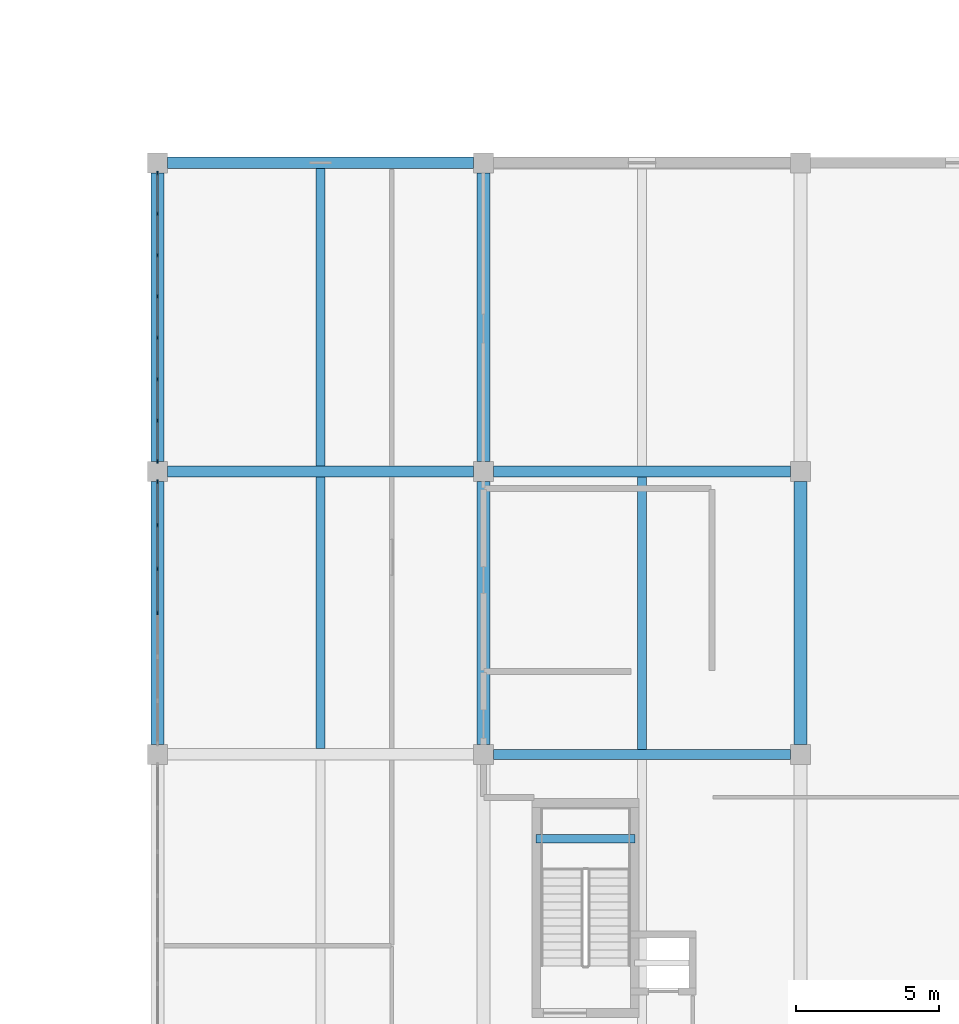
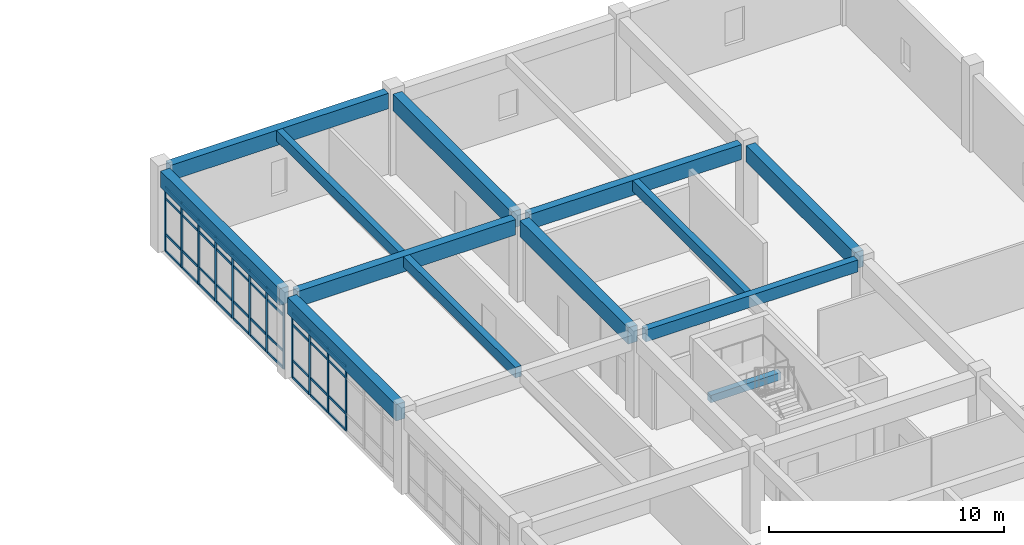
# One storey, part 26 of 57: 52 members, 13 beams, 2 elements without a shape of their own.
"""IFC4 building model written with IfcOpenShell, lengths in metres."""

import ifcopenshell
import ifcopenshell.guid

model = None  # the IFC model being written
_history = None  # IfcOwnerHistory: only IFC2X3 demands one
_inside = {}  # id of a spatial element -> (the spatial element, [elements in it])
_under = {}  # id of a project, library or spatial element -> (it, [spatial elements below it])
_declared = {}  # id of a project -> (the project, [libraries it declares])
_typed = {}  # id of a type object -> (the type object, [elements of that type])
_made_of = {}  # id of a material, layer set ... -> (it, [elements and type objects made of it])


def new_model(schema):
    """Start an empty IFC model of exactly this schema.

    Asked for "IFC4X3", IfcOpenShell would pick the latest addendum, in which some entities
    have other attributes; the version numbers below select the first issue.
    IFC2X3 requires an IfcOwnerHistory on every rooted entity: one is made here for all.
    """
    global model, _history
    if schema == "IFC4X3":
        model = ifcopenshell.file(schema_version=(4, 3, 0, 0))
    else:
        model = ifcopenshell.file(schema=schema)
    _inside.clear()
    _under.clear()
    _declared.clear()
    _typed.clear()
    _made_of.clear()
    _history = None
    if model.schema == "IFC2X3":
        org = make("IfcOrganization", Name="unknown")
        user = make(
            "IfcPersonAndOrganization",
            ThePerson=make("IfcPerson", FamilyName="unknown"),
            TheOrganization=org,
        )
        app = make(
            "IfcApplication",
            ApplicationDeveloper=org,
            Version="unknown",
            ApplicationFullName="unknown",
            ApplicationIdentifier="unknown",
        )
        _history = make(
            "IfcOwnerHistory",
            OwningUser=user,
            OwningApplication=app,
            ChangeAction="ADDED",
            CreationDate=0,
        )
    return model


def make(cls, **values):
    """One entity of the class cls with the attributes given. An attribute that is None is left unset."""
    return model.create_entity(
        cls, **{name: value for name, value in values.items() if value is not None}
    )


def rooted(cls, **values):
    """An entity with a GlobalId (a new one), such as an element, a storey or a relation."""
    return make(cls, GlobalId=ifcopenshell.guid.new(), OwnerHistory=_history, **values)


def si_unit(unit_type, name, prefix=None):
    """IfcSIUnit, for example si_unit("LENGTHUNIT", "METRE", prefix="MILLI")."""
    return make("IfcSIUnit", UnitType=unit_type, Prefix=prefix, Name=name)


def assignment(units):
    """IfcUnitAssignment: the units of a project."""
    return None if units is None else make("IfcUnitAssignment", Units=units)


def point(xyz):
    """IfcCartesianPoint."""
    return None if xyz is None else make("IfcCartesianPoint", Coordinates=xyz)


def direction(xyz):
    """IfcDirection."""
    return None if xyz is None else make("IfcDirection", DirectionRatios=xyz)


def frame(location, z_axis=None, x_axis=None):
    """IfcAxis2Placement3D, a coordinate frame: its origin and axes. An axis left out is left unset."""
    return make(
        "IfcAxis2Placement3D",
        Location=point(location),
        Axis=direction(z_axis),
        RefDirection=direction(x_axis),
    )


def frame_2d(location, x_axis=None):
    """IfcAxis2Placement2D, a coordinate frame in the plane: its origin and x axis."""
    return make(
        "IfcAxis2Placement2D", Location=point(location), RefDirection=direction(x_axis)
    )


def origin():
    """The frame at (0, 0, 0) with its axes left unset."""
    return frame((0.0, 0.0, 0.0))


def origin_2d():
    """The frame at (0, 0) in the plane with its x axis left unset."""
    return frame_2d((0.0, 0.0))


def place(relative_to, where):
    """IfcLocalPlacement: puts the frame where relative to a parent placement (None: the world)."""
    return make(
        "IfcLocalPlacement", PlacementRelTo=relative_to, RelativePlacement=where
    )


def context(
    kind, dimensions, precision=None, world=None, true_north=None, identifier=None
):
    """IfcGeometricRepresentationContext, for example the 3D "Model" context."""
    return make(
        "IfcGeometricRepresentationContext",
        ContextIdentifier=identifier,
        ContextType=kind,
        CoordinateSpaceDimension=dimensions,
        Precision=precision,
        WorldCoordinateSystem=world,
        TrueNorth=true_north,
    )


def subcontext(parent, identifier, kind, view, scale=None):
    """IfcGeometricRepresentationSubContext, for example "Body" below "Model"."""
    return make(
        "IfcGeometricRepresentationSubContext",
        ContextIdentifier=identifier,
        ContextType=kind,
        ParentContext=parent,
        TargetScale=scale,
        TargetView=view,
    )


def project(units=None, contexts=None):
    """IfcProject with its units and contexts."""
    return rooted(
        "IfcProject",
        Name="project",
        RepresentationContexts=contexts,
        UnitsInContext=assignment(units),
    )


def spatial(cls, under=None, at=None, **own):
    """A site, building, storey or space (cls), placed at a placement, below another one or the project."""
    s = rooted(cls, ObjectPlacement=at, **own)
    if under is not None:
        _under.setdefault(under.id(), (under, []))[1].append(s)
    return s


def profile(cls, at=None, kind="AREA", **sizes):
    """A parametric profile (cls). Its sizes go by their IFC names, for example OverallWidth=200.0."""
    return make(cls, ProfileType=kind, Position=at, **sizes)


def rectangle(**sizes):
    """IfcRectangleProfileDef."""
    return profile("IfcRectangleProfileDef", **sizes)


def extrude(swept, where, along, depth):
    """IfcExtrudedAreaSolid: the profile swept, set in the frame where, extruded along a direction by depth."""
    return make(
        "IfcExtrudedAreaSolid",
        SweptArea=swept,
        Position=where,
        ExtrudedDirection=direction(along),
        Depth=depth,
    )


def shape(context_of_items, identifier, shape_type, items):
    """IfcShapeRepresentation: the items that make up one representation, for example the "Body"."""
    return make(
        "IfcShapeRepresentation",
        ContextOfItems=context_of_items,
        RepresentationIdentifier=identifier,
        RepresentationType=shape_type,
        Items=items,
    )


def material(Name=None, Category=None):
    """IfcMaterial."""
    return make("IfcMaterial", Name=Name, Category=Category)


def layer(
    of_material, thickness, ventilated=None, Name=None, Category=None, Priority=None
):
    """IfcMaterialLayer: one layer of a wall or slab, of a material (None: an air gap)."""
    return make(
        "IfcMaterialLayer",
        Material=of_material,
        LayerThickness=thickness,
        IsVentilated=ventilated,
        Name=Name,
        Category=Category,
        Priority=Priority,
    )


def layer_set(layers, Name=None):
    """IfcMaterialLayerSet."""
    return make("IfcMaterialLayerSet", MaterialLayers=layers, LayerSetName=Name)


def material_profile(
    of_material, cross_section, Name=None, Category=None, Priority=None
):
    """IfcMaterialProfile: a cross section and its material."""
    return make(
        "IfcMaterialProfile",
        Name=Name,
        Material=of_material,
        Profile=cross_section,
        Priority=Priority,
        Category=Category,
    )


def profile_set(profiles, Name=None, composite=None):
    """IfcMaterialProfileSet."""
    return make(
        "IfcMaterialProfileSet",
        Name=Name,
        MaterialProfiles=profiles,
        CompositeProfile=composite,
    )


def made_of(thing, what):
    """Note that an element or type object is made of a material, layer set ...; save() writes the relation."""
    if what is not None:
        _made_of.setdefault(what.id(), (what, []))[1].append(thing)
    return thing


def type_object(cls, material=None, **own):
    """A type object (cls), such as IfcWallType, which elements share."""
    return made_of(rooted(cls, **own), material)


def element(
    cls,
    number,
    at=None,
    inside=None,
    cuts=None,
    type_object=None,
    material=None,
    context=None,
    identifier="Body",
    shape_type=None,
    held_by="IfcProductDefinitionShape",
    body=None,
    shapes=None,
    **own,
):
    """One element of the class cls, such as IfcWall. Its Tag is "e" and its number.

    at: its placement. inside: the storey or other place that contains it. cuts: it is an
    opening in that element (IfcRelVoidsElement). A single representation is given by context,
    identifier, shape_type and body (its items); several are given by shapes. held_by: the class
    of the entity that holds the representations. save() writes the other relations.
    """
    e = rooted(cls, Tag="e%d" % number, ObjectPlacement=at, **own)
    if body is not None:
        shapes = [shape(context, identifier, shape_type, body)]
    if shapes is not None:
        e.Representation = make(held_by, Representations=shapes)
    if inside is not None:
        _inside.setdefault(inside.id(), (inside, []))[1].append(e)
    if cuts is not None:
        rooted(
            "IfcRelVoidsElement", RelatingBuildingElement=cuts, RelatedOpeningElement=e
        )
    if type_object is not None:
        _typed.setdefault(type_object.id(), (type_object, []))[1].append(e)
    return made_of(e, material)


def aggregate(whole, parts):
    """IfcRelAggregates: a whole, such as a stair, and the parts it consists of."""
    return rooted("IfcRelAggregates", RelatingObject=whole, RelatedObjects=parts)


def save(model, path):
    """Write the relations noted so far, then the file.

    IfcRelAggregates (storeys below a building ...), IfcRelContainedInSpatialStructure (elements
    in a storey), IfcRelDefinesByType, IfcRelAssociatesMaterial and IfcRelDeclares: one each for
    every whole, place, type object, material and project.
    """
    for whole, parts in _under.values():
        aggregate(whole, parts)
    for where, things in _inside.values():
        rooted(
            "IfcRelContainedInSpatialStructure",
            RelatedElements=things,
            RelatingStructure=where,
        )
    for kind, things in _typed.values():
        rooted("IfcRelDefinesByType", RelatedObjects=things, RelatingType=kind)
    for what, things in _made_of.values():
        rooted("IfcRelAssociatesMaterial", RelatedObjects=things, RelatingMaterial=what)
    for by, libraries in _declared.values():
        rooted("IfcRelDeclares", RelatingContext=by, RelatedDefinitions=libraries)
    model.write(path)


model = new_model("IFC4")

# Units and contexts
model_context = context("Model", 3, precision=1e-05, world=origin(), true_north=direction((0.0, 1.0)))
body_context = subcontext(model_context, "Body", "Model", "MODEL_VIEW")
ifc_project = project(units=[si_unit("LENGTHUNIT", "METRE"), si_unit("AREAUNIT", "SQUARE_METRE"), si_unit("VOLUMEUNIT", "CUBIC_METRE"), si_unit("PLANEANGLEUNIT", "RADIAN"), si_unit("MASSUNIT", "GRAM", prefix="KILO")], contexts=[model_context])

# Site, building, storey
site_placement = place(None, origin())
site = spatial("IfcSite", under=ifc_project, at=site_placement, CompositionType="ELEMENT")
building_placement = place(site_placement, origin())
building = spatial("IfcBuilding", under=site, at=building_placement, Name="Miralva Faculty of Natural Sciences", CompositionType="ELEMENT")
storey_placement = place(building_placement, frame((0.0, 0.0, 15.0)))
storey = spatial("IfcBuildingStorey", under=building, at=storey_placement, Name="L03", CompositionType="ELEMENT", Elevation=15.0)

# Beams
ifc_material_1 = material(Name="Concrete C40/50", Category="concrete")
ifc_material_profile_1 = material_profile(ifc_material_1, rectangle(XDim=0.449951171875, YDim=0.85009765625, at=origin_2d()), Name="RC 450x850")
ifc_profile_set_1 = profile_set([ifc_material_profile_1], Name="Concrete C40/50")
beam_type_1 = type_object("IfcBeamType", Name="BM-B01", PredefinedType="BEAM", material=ifc_profile_set_1)
beam_1_placement = place(storey_placement, frame((133.800048828125, 55.85009765625, 3.784912109375), z_axis=(0.0, 1.0, 0.0), x_axis=(-1.0, 0.0, 0.0)))
element("IfcBeam", 1, at=beam_1_placement, inside=storey, type_object=beam_type_1, Name="Girder NS L03-117", PredefinedType="BEAM", context=body_context, shape_type="SweptSolid", body=[
    extrude(rectangle(XDim=0.449951171875, YDim=0.85009765625, at=origin_2d()), origin(), (0.0, 0.0, 1.0), 9.199951171875),
])
beam_2_placement = place(storey_placement, frame((133.800048828125, 65.75, 3.784912109375), z_axis=(0.0, 1.0, 0.0), x_axis=(-1.0, 0.0, 0.0)))
element("IfcBeam", 2, at=beam_2_placement, inside=storey, type_object=beam_type_1, Name="Girder NS L03-118", PredefinedType="BEAM", context=body_context, shape_type="SweptSolid", body=[
    extrude(rectangle(XDim=0.449951171875, YDim=0.85009765625, at=origin_2d()), origin(), (0.0, 0.0, 1.0), 10.10009765625),
])
beam_3_placement = place(storey_placement, frame((145.199951171875, 55.85009765625, 3.784912109375), z_axis=(0.0, 1.0, 0.0), x_axis=(-1.0, 0.0, 0.0)))
element("IfcBeam", 3, at=beam_3_placement, inside=storey, type_object=beam_type_1, Name="Girder NS L03-124", PredefinedType="BEAM", context=body_context, shape_type="SweptSolid", body=[
    extrude(rectangle(XDim=0.449951171875, YDim=0.85009765625, at=origin_2d()), origin(), (0.0, 0.0, 1.0), 9.199951171875),
])
beam_4_placement = place(storey_placement, frame((145.199951171875, 65.75, 3.784912109375), z_axis=(0.0, 1.0, 0.0), x_axis=(-1.0, 0.0, 0.0)))
element("IfcBeam", 4, at=beam_4_placement, inside=storey, type_object=beam_type_1, Name="Girder NS L03-125", PredefinedType="BEAM", context=body_context, shape_type="SweptSolid", body=[
    extrude(rectangle(XDim=0.449951171875, YDim=0.85009765625, at=origin_2d()), origin(), (0.0, 0.0, 1.0), 10.10009765625),
])
beam_5_placement = place(storey_placement, frame((156.300048828125, 55.85009765625, 3.784912109375), z_axis=(0.0, 1.0, 0.0), x_axis=(-1.0, 0.0, 0.0)))
element("IfcBeam", 5, at=beam_5_placement, inside=storey, type_object=beam_type_1, Name="Girder NS L03-131", PredefinedType="BEAM", context=body_context, shape_type="SweptSolid", body=[
    extrude(rectangle(XDim=0.449951171875, YDim=0.85009765625, at=origin_2d()), origin(), (0.0, 0.0, 1.0), 9.199951171875),
])
ifc_material_profile_2 = material_profile(ifc_material_1, rectangle(XDim=0.39990234375, YDim=0.800048828125, at=origin_2d()), Name="RC 400x800")
ifc_profile_set_2 = profile_set([ifc_material_profile_2], Name="Concrete C40/50")
beam_type_2 = type_object("IfcBeamType", Name="BM-B02", PredefinedType="BEAM", material=ifc_profile_set_2)
for number, where, z_axis, x_axis, name in (
    (6, (134.14990234375, 65.39990234375, 3.81005859375), (1.0, 0.0, 0.0), (0.0, 1.0, 0.0), "Girder EW L03-46"),
    (7, (134.14990234375, 76.199951171875, 3.81005859375), (1.0, 0.0, 0.0), (0.0, 1.0, 0.0), "Girder EW L03-50"),
):
    element("IfcBeam", number, at=place(storey_placement, frame(where, z_axis=z_axis, x_axis=x_axis)), inside=storey, type_object=beam_type_2, Name=name, PredefinedType="BEAM", context=body_context, shape_type="SweptSolid", body=[
        extrude(rectangle(XDim=0.39990234375, YDim=0.800048828125, at=origin_2d()), origin(), (0.0, 0.0, 1.0), 10.7001953125),
    ])
ifc_material_profile_3 = material_profile(ifc_material_1, rectangle(XDim=0.340087890625, YDim=0.6201171875, at=origin_2d()), Name="RC 340x620")
ifc_profile_set_3 = profile_set([ifc_material_profile_3], Name="Concrete C40/50")
beam_type_3 = type_object("IfcBeamType", Name="BM-BG03", PredefinedType="BEAM", material=ifc_profile_set_3)
beam_6_placement = place(storey_placement, frame((145.550048828125, 55.5, 3.89990234375), z_axis=(1.0, 0.0, 0.0), x_axis=(0.0, 1.0, 0.0)))
element("IfcBeam", 8, at=beam_6_placement, inside=storey, type_object=beam_type_3, Name="Girder EW L03-43", PredefinedType="BEAM", context=body_context, shape_type="SweptSolid", body=[
    extrude(rectangle(XDim=0.340087890625, YDim=0.6201171875, at=origin_2d()), origin(), (0.0, 0.0, 1.0), 10.39990234375),
])
ifc_material_profile_4 = material_profile(ifc_material_1, rectangle(XDim=0.3798828125, YDim=0.780029296875, at=origin_2d()), Name="RC 380x780")
ifc_profile_set_4 = profile_set([ifc_material_profile_4], Name="Concrete C40/50")
beam_type_4 = type_object("IfcBeamType", Name="BM-BG07", PredefinedType="BEAM", material=ifc_profile_set_4)
beam_7_placement = place(storey_placement, frame((145.550048828125, 65.39990234375, 3.820068359375), z_axis=(1.0, 0.0, 0.0), x_axis=(0.0, 1.0, 0.0)))
element("IfcBeam", 9, at=beam_7_placement, inside=storey, type_object=beam_type_4, Name="Girder EW L03-47", PredefinedType="BEAM", context=body_context, shape_type="SweptSolid", body=[
    extrude(rectangle(XDim=0.3798828125, YDim=0.780029296875, at=origin_2d()), origin(), (0.0, 0.0, 1.0), 10.39990234375),
])
ifc_material_profile_5 = material_profile(ifc_material_1, rectangle(XDim=0.300048828125, YDim=0.550048828125, at=origin_2d()), Name="RC 300x550")
ifc_profile_set_5 = profile_set([ifc_material_profile_5], Name="Concrete C40/50")
beam_type_5 = type_object("IfcBeamType", Name="BM-J02", PredefinedType="JOIST", material=ifc_profile_set_5)
beam_8_placement = place(storey_placement, frame((139.5, 55.699951171875, 3.93505859375), z_axis=(0.0, 1.0, 0.0), x_axis=(-1.0, 0.0, 0.0)))
element("IfcBeam", 10, at=beam_8_placement, inside=storey, type_object=beam_type_5, Name="Floor joist L03-17", PredefinedType="JOIST", context=body_context, shape_type="SweptSolid", body=[
    extrude(rectangle(XDim=0.300048828125, YDim=0.550048828125, at=origin_2d()), origin(), (0.0, 0.0, 1.0), 9.5),
])
beam_9_placement = place(storey_placement, frame((150.75, 55.669921875, 3.93505859375), z_axis=(0.0, 1.0, 0.0), x_axis=(-1.0, 0.0, 0.0)))
element("IfcBeam", 11, at=beam_9_placement, inside=storey, type_object=beam_type_5, Name="Floor joist L03-18", PredefinedType="JOIST", context=body_context, shape_type="SweptSolid", body=[
    extrude(rectangle(XDim=0.300048828125, YDim=0.550048828125, at=origin_2d()), origin(), (0.0, 0.0, 1.0), 9.5400390625),
])
beam_10_placement = place(storey_placement, frame((139.5, 65.60009765625, 3.93505859375), z_axis=(0.0, 1.0, 0.0), x_axis=(-1.0, 0.0, 0.0)))
element("IfcBeam", 12, at=beam_10_placement, inside=storey, type_object=beam_type_5, Name="Floor joist L03-20", PredefinedType="JOIST", context=body_context, shape_type="SweptSolid", body=[
    extrude(rectangle(XDim=0.300048828125, YDim=0.550048828125, at=origin_2d()), origin(), (0.0, 0.0, 1.0), 10.39990234375),
])
ifc_material_profile_6 = material_profile(ifc_material_1, rectangle(XDim=0.300048828125, YDim=0.3798828125, at=origin_2d()), Name="RC 300x380")
ifc_profile_set_6 = profile_set([ifc_material_profile_6], Name="Concrete C40/50")
beam_type_6 = type_object("IfcBeamType", Name="BM-LND01", PredefinedType="BEAM", material=ifc_profile_set_6)
beam_11_placement = place(storey_placement, frame((147.050048828125, 52.554931640625, 1.8701171875), z_axis=(1.0, 0.0, 0.0), x_axis=(0.0, 1.0, 0.0)))
element("IfcBeam", 13, at=beam_11_placement, inside=storey, type_object=beam_type_6, Name="Stair Core C4 half-landing support beam L03", PredefinedType="BEAM", context=body_context, shape_type="SweptSolid", body=[
    extrude(rectangle(XDim=0.300048828125, YDim=0.3798828125, at=origin_2d()), origin(), (0.0, 0.0, 1.0), 3.449951171875),
])

# Curtain wall, members
ifc_material_2 = material(Name="Laminated solar-control glass", Category="glass")
ifc_layer = layer(ifc_material_2, 0.179931640625, Name="CW-COM-L03")
ifc_layer_set = layer_set([ifc_layer], Name="Laminated solar-control glass")
curtain_wall_type = type_object("IfcCurtainWallType", Name="CW-COM-L03", PredefinedType="USERDEFINED", material=ifc_layer_set)
curtain_wall_1_placement = place(storey_placement, origin())
curtain_wall_1 = element("IfcCurtainWall", 14, at=curtain_wall_1_placement, inside=storey, type_object=curtain_wall_type, Name="Curtain wall CW-11 L03-280", ObjectType="UNITISED CURTAIN WALL", PredefinedType="USERDEFINED")
ifc_material_3 = material(Name="Anodised aluminium", Category="aluminium")
ifc_material_profile_7 = material_profile(ifc_material_3, rectangle(XDim=0.06005859375, YDim=0.139892578125, at=origin_2d()), Name="MULLION 60x140")
ifc_profile_set_7 = profile_set([ifc_material_profile_7], Name="Anodised aluminium")
member_type_1 = type_object("IfcMemberType", Name="CW-M03", PredefinedType="MULLION", material=ifc_profile_set_7)
member_1_placement = place(storey_placement, frame((133.800048828125, 60.449951171875, 0.0), z_axis=(0.0, 0.0, 1.0), x_axis=(-1.0, 0.0, 0.0)))
member_1 = element("IfcMember", 15, at=member_1_placement, type_object=member_type_1, Name="CW-11 mullion 4", PredefinedType="MULLION", context=body_context, shape_type="SweptSolid", body=[
    extrude(rectangle(XDim=0.06005859375, YDim=0.139892578125, at=origin_2d()), origin(), (0.0, 0.0, 1.0), 3.35498046875),
])
member_2_placement = place(storey_placement, frame((133.800048828125, 61.98828125, 0.0), z_axis=(0.0, 0.0, 1.0), x_axis=(-1.0, 0.0, 0.0)))
member_2 = element("IfcMember", 16, at=member_2_placement, type_object=member_type_1, Name="CW-11 mullion 5", PredefinedType="MULLION", context=body_context, shape_type="SweptSolid", body=[
    extrude(rectangle(XDim=0.06005859375, YDim=0.139892578125, at=origin_2d()), origin(), (0.0, 0.0, 1.0), 3.35498046875),
])
member_3_placement = place(storey_placement, frame((133.800048828125, 63.526611328125, 0.0), z_axis=(0.0, 0.0, 1.0), x_axis=(-1.0, 0.0, 0.0)))
member_3 = element("IfcMember", 17, at=member_3_placement, type_object=member_type_1, Name="CW-11 mullion 6", PredefinedType="MULLION", context=body_context, shape_type="SweptSolid", body=[
    extrude(rectangle(XDim=0.06005859375, YDim=0.139892578125, at=origin_2d()), origin(), (0.0, 0.0, 1.0), 3.35498046875),
])
member_4_placement = place(storey_placement, frame((133.800048828125, 65.034912109375, 0.0), z_axis=(0.0, 0.0, 1.0), x_axis=(-1.0, 0.0, 0.0)))
member_4 = element("IfcMember", 18, at=member_4_placement, type_object=member_type_1, Name="CW-11 mullion 7", PredefinedType="MULLION", context=body_context, shape_type="SweptSolid", body=[
    extrude(rectangle(XDim=0.06005859375, YDim=0.139892578125, at=origin_2d()), origin(), (0.0, 0.0, 1.0), 3.35498046875),
])

curtain_wall_2_placement = place(storey_placement, origin())
curtain_wall_2 = element("IfcCurtainWall", 19, at=curtain_wall_2_placement, inside=storey, type_object=curtain_wall_type, Name="Curtain wall CW-11 L03-281", ObjectType="UNITISED CURTAIN WALL", PredefinedType="USERDEFINED")
member_5_placement = place(storey_placement, frame((133.800048828125, 65.764892578125, 0.0), z_axis=(0.0, 0.0, 1.0), x_axis=(-1.0, 0.0, 0.0)))
member_5 = element("IfcMember", 20, at=member_5_placement, type_object=member_type_1, Name="CW-11 mullion 1", PredefinedType="MULLION", context=body_context, shape_type="SweptSolid", body=[
    extrude(rectangle(XDim=0.06005859375, YDim=0.139892578125, at=origin_2d()), origin(), (0.0, 0.0, 1.0), 3.35498046875),
])
member_6_placement = place(storey_placement, frame((133.800048828125, 67.18212890625, 0.0), z_axis=(0.0, 0.0, 1.0), x_axis=(-1.0, 0.0, 0.0)))
member_6 = element("IfcMember", 21, at=member_6_placement, type_object=member_type_1, Name="CW-11 mullion 2", PredefinedType="MULLION", context=body_context, shape_type="SweptSolid", body=[
    extrude(rectangle(XDim=0.06005859375, YDim=0.139892578125, at=origin_2d()), origin(), (0.0, 0.0, 1.0), 3.35498046875),
])
member_7_placement = place(storey_placement, frame((133.800048828125, 68.62939453125, 0.0), z_axis=(0.0, 0.0, 1.0), x_axis=(-1.0, 0.0, 0.0)))
member_7 = element("IfcMember", 22, at=member_7_placement, type_object=member_type_1, Name="CW-11 mullion 3", PredefinedType="MULLION", context=body_context, shape_type="SweptSolid", body=[
    extrude(rectangle(XDim=0.06005859375, YDim=0.139892578125, at=origin_2d()), origin(), (0.0, 0.0, 1.0), 3.35498046875),
])
member_8_placement = place(storey_placement, frame((133.800048828125, 70.076416015625, 0.0), z_axis=(0.0, 0.0, 1.0), x_axis=(-1.0, 0.0, 0.0)))
member_8 = element("IfcMember", 23, at=member_8_placement, type_object=member_type_1, Name="CW-11 mullion 4", PredefinedType="MULLION", context=body_context, shape_type="SweptSolid", body=[
    extrude(rectangle(XDim=0.06005859375, YDim=0.139892578125, at=origin_2d()), origin(), (0.0, 0.0, 1.0), 3.35498046875),
])
member_9_placement = place(storey_placement, frame((133.800048828125, 71.523681640625, 0.0), z_axis=(0.0, 0.0, 1.0), x_axis=(-1.0, 0.0, 0.0)))
member_9 = element("IfcMember", 24, at=member_9_placement, type_object=member_type_1, Name="CW-11 mullion 5", PredefinedType="MULLION", context=body_context, shape_type="SweptSolid", body=[
    extrude(rectangle(XDim=0.06005859375, YDim=0.139892578125, at=origin_2d()), origin(), (0.0, 0.0, 1.0), 3.35498046875),
])
member_10_placement = place(storey_placement, frame((133.800048828125, 72.970703125, 0.0), z_axis=(0.0, 0.0, 1.0), x_axis=(-1.0, 0.0, 0.0)))
member_10 = element("IfcMember", 25, at=member_10_placement, type_object=member_type_1, Name="CW-11 mullion 6", PredefinedType="MULLION", context=body_context, shape_type="SweptSolid", body=[
    extrude(rectangle(XDim=0.06005859375, YDim=0.139892578125, at=origin_2d()), origin(), (0.0, 0.0, 1.0), 3.35498046875),
])
member_11_placement = place(storey_placement, frame((133.800048828125, 74.41796875, 0.0), z_axis=(0.0, 0.0, 1.0), x_axis=(-1.0, 0.0, 0.0)))
member_11 = element("IfcMember", 26, at=member_11_placement, type_object=member_type_1, Name="CW-11 mullion 7", PredefinedType="MULLION", context=body_context, shape_type="SweptSolid", body=[
    extrude(rectangle(XDim=0.06005859375, YDim=0.139892578125, at=origin_2d()), origin(), (0.0, 0.0, 1.0), 3.35498046875),
])
member_12_placement = place(storey_placement, frame((133.800048828125, 75.8349609375, 0.0), z_axis=(0.0, 0.0, 1.0), x_axis=(-1.0, 0.0, 0.0)))
member_12 = element("IfcMember", 27, at=member_12_placement, type_object=member_type_1, Name="CW-11 mullion 8", PredefinedType="MULLION", context=body_context, shape_type="SweptSolid", body=[
    extrude(rectangle(XDim=0.06005859375, YDim=0.139892578125, at=origin_2d()), origin(), (0.0, 0.0, 1.0), 3.35498046875),
])

# Member
ifc_material_profile_8 = material_profile(ifc_material_3, rectangle(XDim=0.06005859375, YDim=0.1201171875, at=origin_2d()), Name="TRANSOM 60x120")
ifc_profile_set_8 = profile_set([ifc_material_profile_8], Name="Anodised aluminium")
member_type_2 = type_object("IfcMemberType", Name="CW-T02", PredefinedType="USERDEFINED", material=ifc_profile_set_8)
member_13_placement = place(storey_placement, frame((133.800048828125, 60.47998046875, 0.030029296875), z_axis=(0.0, 1.0, 0.0), x_axis=(-1.0, 0.0, 0.0)))
member_13 = element("IfcMember", 28, at=member_13_placement, type_object=member_type_2, Name="CW-11 transom 4.1", ObjectType="TRANSOM", PredefinedType="USERDEFINED", context=body_context, shape_type="SweptSolid", body=[
    extrude(rectangle(XDim=0.06005859375, YDim=0.1201171875, at=origin_2d()), origin(), (0.0, 0.0, 1.0), 1.478271484375),
])

member_14_placement = place(storey_placement, frame((133.800048828125, 60.47998046875, 0.89990234375), z_axis=(0.0, 1.0, 0.0), x_axis=(-1.0, 0.0, 0.0)))
member_14 = element("IfcMember", 29, at=member_14_placement, type_object=member_type_2, Name="CW-11 transom 4.2", ObjectType="TRANSOM", PredefinedType="USERDEFINED", context=body_context, shape_type="SweptSolid", body=[
    extrude(rectangle(XDim=0.06005859375, YDim=0.1201171875, at=origin_2d()), origin(), (0.0, 0.0, 1.0), 1.478271484375),
])

member_15_placement = place(storey_placement, frame((133.800048828125, 60.47998046875, 2.7548828125), z_axis=(0.0, 1.0, 0.0), x_axis=(-1.0, 0.0, 0.0)))
member_15 = element("IfcMember", 30, at=member_15_placement, type_object=member_type_2, Name="CW-11 transom 4.3", ObjectType="TRANSOM", PredefinedType="USERDEFINED", context=body_context, shape_type="SweptSolid", body=[
    extrude(rectangle(XDim=0.06005859375, YDim=0.1201171875, at=origin_2d()), origin(), (0.0, 0.0, 1.0), 1.478271484375),
])

member_16_placement = place(storey_placement, frame((133.800048828125, 60.47998046875, 3.324951171875), z_axis=(0.0, 1.0, 0.0), x_axis=(-1.0, 0.0, 0.0)))
member_16 = element("IfcMember", 31, at=member_16_placement, type_object=member_type_2, Name="CW-11 transom 4.4", ObjectType="TRANSOM", PredefinedType="USERDEFINED", context=body_context, shape_type="SweptSolid", body=[
    extrude(rectangle(XDim=0.06005859375, YDim=0.1201171875, at=origin_2d()), origin(), (0.0, 0.0, 1.0), 1.478271484375),
])

member_17_placement = place(storey_placement, frame((133.800048828125, 62.018310546875, 0.030029296875), z_axis=(0.0, 1.0, 0.0), x_axis=(-1.0, 0.0, 0.0)))
member_17 = element("IfcMember", 32, at=member_17_placement, type_object=member_type_2, Name="CW-11 transom 5.1", ObjectType="TRANSOM", PredefinedType="USERDEFINED", context=body_context, shape_type="SweptSolid", body=[
    extrude(rectangle(XDim=0.06005859375, YDim=0.1201171875, at=origin_2d()), origin(), (0.0, 0.0, 1.0), 1.478271484375),
])

member_18_placement = place(storey_placement, frame((133.800048828125, 62.018310546875, 0.89990234375), z_axis=(0.0, 1.0, 0.0), x_axis=(-1.0, 0.0, 0.0)))
member_18 = element("IfcMember", 33, at=member_18_placement, type_object=member_type_2, Name="CW-11 transom 5.2", ObjectType="TRANSOM", PredefinedType="USERDEFINED", context=body_context, shape_type="SweptSolid", body=[
    extrude(rectangle(XDim=0.06005859375, YDim=0.1201171875, at=origin_2d()), origin(), (0.0, 0.0, 1.0), 1.478271484375),
])

member_19_placement = place(storey_placement, frame((133.800048828125, 62.018310546875, 2.7548828125), z_axis=(0.0, 1.0, 0.0), x_axis=(-1.0, 0.0, 0.0)))
member_19 = element("IfcMember", 34, at=member_19_placement, type_object=member_type_2, Name="CW-11 transom 5.3", ObjectType="TRANSOM", PredefinedType="USERDEFINED", context=body_context, shape_type="SweptSolid", body=[
    extrude(rectangle(XDim=0.06005859375, YDim=0.1201171875, at=origin_2d()), origin(), (0.0, 0.0, 1.0), 1.478271484375),
])

member_20_placement = place(storey_placement, frame((133.800048828125, 62.018310546875, 3.324951171875), z_axis=(0.0, 1.0, 0.0), x_axis=(-1.0, 0.0, 0.0)))
member_20 = element("IfcMember", 35, at=member_20_placement, type_object=member_type_2, Name="CW-11 transom 5.4", ObjectType="TRANSOM", PredefinedType="USERDEFINED", context=body_context, shape_type="SweptSolid", body=[
    extrude(rectangle(XDim=0.06005859375, YDim=0.1201171875, at=origin_2d()), origin(), (0.0, 0.0, 1.0), 1.478271484375),
])

member_21_placement = place(storey_placement, frame((133.800048828125, 63.556640625, 0.030029296875), z_axis=(0.0, 1.0, 0.0), x_axis=(-1.0, 0.0, 0.0)))
member_21 = element("IfcMember", 36, at=member_21_placement, type_object=member_type_2, Name="CW-11 transom 6.1", ObjectType="TRANSOM", PredefinedType="USERDEFINED", context=body_context, shape_type="SweptSolid", body=[
    extrude(rectangle(XDim=0.06005859375, YDim=0.1201171875, at=origin_2d()), origin(), (0.0, 0.0, 1.0), 1.4482421875),
])

member_22_placement = place(storey_placement, frame((133.800048828125, 63.556640625, 0.89990234375), z_axis=(0.0, 1.0, 0.0), x_axis=(-1.0, 0.0, 0.0)))
member_22 = element("IfcMember", 37, at=member_22_placement, type_object=member_type_2, Name="CW-11 transom 6.2", ObjectType="TRANSOM", PredefinedType="USERDEFINED", context=body_context, shape_type="SweptSolid", body=[
    extrude(rectangle(XDim=0.06005859375, YDim=0.1201171875, at=origin_2d()), origin(), (0.0, 0.0, 1.0), 1.4482421875),
])

member_23_placement = place(storey_placement, frame((133.800048828125, 63.556640625, 2.7548828125), z_axis=(0.0, 1.0, 0.0), x_axis=(-1.0, 0.0, 0.0)))
member_23 = element("IfcMember", 38, at=member_23_placement, type_object=member_type_2, Name="CW-11 transom 6.3", ObjectType="TRANSOM", PredefinedType="USERDEFINED", context=body_context, shape_type="SweptSolid", body=[
    extrude(rectangle(XDim=0.06005859375, YDim=0.1201171875, at=origin_2d()), origin(), (0.0, 0.0, 1.0), 1.4482421875),
])

member_24_placement = place(storey_placement, frame((133.800048828125, 63.556640625, 3.324951171875), z_axis=(0.0, 1.0, 0.0), x_axis=(-1.0, 0.0, 0.0)))
member_24 = element("IfcMember", 39, at=member_24_placement, type_object=member_type_2, Name="CW-11 transom 6.4", ObjectType="TRANSOM", PredefinedType="USERDEFINED", context=body_context, shape_type="SweptSolid", body=[
    extrude(rectangle(XDim=0.06005859375, YDim=0.1201171875, at=origin_2d()), origin(), (0.0, 0.0, 1.0), 1.4482421875),
])

aggregate(curtain_wall_1, [member_1, member_2, member_3, member_4, member_13, member_14, member_15, member_16, member_17, member_18, member_19, member_20, member_21, member_22, member_23, member_24])

member_25_placement = place(storey_placement, frame((133.800048828125, 65.794921875, 0.030029296875), z_axis=(0.0, 1.0, 0.0), x_axis=(-1.0, 0.0, 0.0)))
member_25 = element("IfcMember", 40, at=member_25_placement, type_object=member_type_2, Name="CW-11 transom 1.1", ObjectType="TRANSOM", PredefinedType="USERDEFINED", context=body_context, shape_type="SweptSolid", body=[
    extrude(rectangle(XDim=0.06005859375, YDim=0.1201171875, at=origin_2d()), origin(), (0.0, 0.0, 1.0), 1.357177734375),
])

member_26_placement = place(storey_placement, frame((133.800048828125, 65.794921875, 0.89990234375), z_axis=(0.0, 1.0, 0.0), x_axis=(-1.0, 0.0, 0.0)))
member_26 = element("IfcMember", 41, at=member_26_placement, type_object=member_type_2, Name="CW-11 transom 1.2", ObjectType="TRANSOM", PredefinedType="USERDEFINED", context=body_context, shape_type="SweptSolid", body=[
    extrude(rectangle(XDim=0.06005859375, YDim=0.1201171875, at=origin_2d()), origin(), (0.0, 0.0, 1.0), 1.357177734375),
])

member_27_placement = place(storey_placement, frame((133.800048828125, 65.794921875, 2.7548828125), z_axis=(0.0, 1.0, 0.0), x_axis=(-1.0, 0.0, 0.0)))
member_27 = element("IfcMember", 42, at=member_27_placement, type_object=member_type_2, Name="CW-11 transom 1.3", ObjectType="TRANSOM", PredefinedType="USERDEFINED", context=body_context, shape_type="SweptSolid", body=[
    extrude(rectangle(XDim=0.06005859375, YDim=0.1201171875, at=origin_2d()), origin(), (0.0, 0.0, 1.0), 1.357177734375),
])

member_28_placement = place(storey_placement, frame((133.800048828125, 65.794921875, 3.324951171875), z_axis=(0.0, 1.0, 0.0), x_axis=(-1.0, 0.0, 0.0)))
member_28 = element("IfcMember", 43, at=member_28_placement, type_object=member_type_2, Name="CW-11 transom 1.4", ObjectType="TRANSOM", PredefinedType="USERDEFINED", context=body_context, shape_type="SweptSolid", body=[
    extrude(rectangle(XDim=0.06005859375, YDim=0.1201171875, at=origin_2d()), origin(), (0.0, 0.0, 1.0), 1.357177734375),
])

member_29_placement = place(storey_placement, frame((133.800048828125, 67.212158203125, 0.030029296875), z_axis=(0.0, 1.0, 0.0), x_axis=(-1.0, 0.0, 0.0)))
member_29 = element("IfcMember", 44, at=member_29_placement, type_object=member_type_2, Name="CW-11 transom 2.1", ObjectType="TRANSOM", PredefinedType="USERDEFINED", context=body_context, shape_type="SweptSolid", body=[
    extrude(rectangle(XDim=0.06005859375, YDim=0.1201171875, at=origin_2d()), origin(), (0.0, 0.0, 1.0), 1.38720703125),
])

member_30_placement = place(storey_placement, frame((133.800048828125, 67.212158203125, 0.89990234375), z_axis=(0.0, 1.0, 0.0), x_axis=(-1.0, 0.0, 0.0)))
member_30 = element("IfcMember", 45, at=member_30_placement, type_object=member_type_2, Name="CW-11 transom 2.2", ObjectType="TRANSOM", PredefinedType="USERDEFINED", context=body_context, shape_type="SweptSolid", body=[
    extrude(rectangle(XDim=0.06005859375, YDim=0.1201171875, at=origin_2d()), origin(), (0.0, 0.0, 1.0), 1.38720703125),
])

member_31_placement = place(storey_placement, frame((133.800048828125, 67.212158203125, 2.7548828125), z_axis=(0.0, 1.0, 0.0), x_axis=(-1.0, 0.0, 0.0)))
member_31 = element("IfcMember", 46, at=member_31_placement, type_object=member_type_2, Name="CW-11 transom 2.3", ObjectType="TRANSOM", PredefinedType="USERDEFINED", context=body_context, shape_type="SweptSolid", body=[
    extrude(rectangle(XDim=0.06005859375, YDim=0.1201171875, at=origin_2d()), origin(), (0.0, 0.0, 1.0), 1.38720703125),
])

member_32_placement = place(storey_placement, frame((133.800048828125, 67.212158203125, 3.324951171875), z_axis=(0.0, 1.0, 0.0), x_axis=(-1.0, 0.0, 0.0)))
member_32 = element("IfcMember", 47, at=member_32_placement, type_object=member_type_2, Name="CW-11 transom 2.4", ObjectType="TRANSOM", PredefinedType="USERDEFINED", context=body_context, shape_type="SweptSolid", body=[
    extrude(rectangle(XDim=0.06005859375, YDim=0.1201171875, at=origin_2d()), origin(), (0.0, 0.0, 1.0), 1.38720703125),
])

member_33_placement = place(storey_placement, frame((133.800048828125, 68.6591796875, 0.030029296875), z_axis=(0.0, 1.0, 0.0), x_axis=(-1.0, 0.0, 0.0)))
member_33 = element("IfcMember", 48, at=member_33_placement, type_object=member_type_2, Name="CW-11 transom 3.1", ObjectType="TRANSOM", PredefinedType="USERDEFINED", context=body_context, shape_type="SweptSolid", body=[
    extrude(rectangle(XDim=0.06005859375, YDim=0.1201171875, at=origin_2d()), origin(), (0.0, 0.0, 1.0), 1.38720703125),
])

member_34_placement = place(storey_placement, frame((133.800048828125, 68.6591796875, 0.89990234375), z_axis=(0.0, 1.0, 0.0), x_axis=(-1.0, 0.0, 0.0)))
member_34 = element("IfcMember", 49, at=member_34_placement, type_object=member_type_2, Name="CW-11 transom 3.2", ObjectType="TRANSOM", PredefinedType="USERDEFINED", context=body_context, shape_type="SweptSolid", body=[
    extrude(rectangle(XDim=0.06005859375, YDim=0.1201171875, at=origin_2d()), origin(), (0.0, 0.0, 1.0), 1.38720703125),
])

member_35_placement = place(storey_placement, frame((133.800048828125, 68.6591796875, 2.7548828125), z_axis=(0.0, 1.0, 0.0), x_axis=(-1.0, 0.0, 0.0)))
member_35 = element("IfcMember", 50, at=member_35_placement, type_object=member_type_2, Name="CW-11 transom 3.3", ObjectType="TRANSOM", PredefinedType="USERDEFINED", context=body_context, shape_type="SweptSolid", body=[
    extrude(rectangle(XDim=0.06005859375, YDim=0.1201171875, at=origin_2d()), origin(), (0.0, 0.0, 1.0), 1.38720703125),
])

member_36_placement = place(storey_placement, frame((133.800048828125, 68.6591796875, 3.324951171875), z_axis=(0.0, 1.0, 0.0), x_axis=(-1.0, 0.0, 0.0)))
member_36 = element("IfcMember", 51, at=member_36_placement, type_object=member_type_2, Name="CW-11 transom 3.4", ObjectType="TRANSOM", PredefinedType="USERDEFINED", context=body_context, shape_type="SweptSolid", body=[
    extrude(rectangle(XDim=0.06005859375, YDim=0.1201171875, at=origin_2d()), origin(), (0.0, 0.0, 1.0), 1.38720703125),
])

member_37_placement = place(storey_placement, frame((133.800048828125, 70.1064453125, 0.030029296875), z_axis=(0.0, 1.0, 0.0), x_axis=(-1.0, 0.0, 0.0)))
member_37 = element("IfcMember", 52, at=member_37_placement, type_object=member_type_2, Name="CW-11 transom 4.1", ObjectType="TRANSOM", PredefinedType="USERDEFINED", context=body_context, shape_type="SweptSolid", body=[
    extrude(rectangle(XDim=0.06005859375, YDim=0.1201171875, at=origin_2d()), origin(), (0.0, 0.0, 1.0), 1.38720703125),
])

member_38_placement = place(storey_placement, frame((133.800048828125, 70.1064453125, 0.89990234375), z_axis=(0.0, 1.0, 0.0), x_axis=(-1.0, 0.0, 0.0)))
member_38 = element("IfcMember", 53, at=member_38_placement, type_object=member_type_2, Name="CW-11 transom 4.2", ObjectType="TRANSOM", PredefinedType="USERDEFINED", context=body_context, shape_type="SweptSolid", body=[
    extrude(rectangle(XDim=0.06005859375, YDim=0.1201171875, at=origin_2d()), origin(), (0.0, 0.0, 1.0), 1.38720703125),
])

member_39_placement = place(storey_placement, frame((133.800048828125, 70.1064453125, 2.7548828125), z_axis=(0.0, 1.0, 0.0), x_axis=(-1.0, 0.0, 0.0)))
member_39 = element("IfcMember", 54, at=member_39_placement, type_object=member_type_2, Name="CW-11 transom 4.3", ObjectType="TRANSOM", PredefinedType="USERDEFINED", context=body_context, shape_type="SweptSolid", body=[
    extrude(rectangle(XDim=0.06005859375, YDim=0.1201171875, at=origin_2d()), origin(), (0.0, 0.0, 1.0), 1.38720703125),
])

member_40_placement = place(storey_placement, frame((133.800048828125, 70.1064453125, 3.324951171875), z_axis=(0.0, 1.0, 0.0), x_axis=(-1.0, 0.0, 0.0)))
member_40 = element("IfcMember", 55, at=member_40_placement, type_object=member_type_2, Name="CW-11 transom 4.4", ObjectType="TRANSOM", PredefinedType="USERDEFINED", context=body_context, shape_type="SweptSolid", body=[
    extrude(rectangle(XDim=0.06005859375, YDim=0.1201171875, at=origin_2d()), origin(), (0.0, 0.0, 1.0), 1.38720703125),
])

member_41_placement = place(storey_placement, frame((133.800048828125, 71.553466796875, 0.030029296875), z_axis=(0.0, 1.0, 0.0), x_axis=(-1.0, 0.0, 0.0)))
member_41 = element("IfcMember", 56, at=member_41_placement, type_object=member_type_2, Name="CW-11 transom 5.1", ObjectType="TRANSOM", PredefinedType="USERDEFINED", context=body_context, shape_type="SweptSolid", body=[
    extrude(rectangle(XDim=0.06005859375, YDim=0.1201171875, at=origin_2d()), origin(), (0.0, 0.0, 1.0), 1.38720703125),
])

member_42_placement = place(storey_placement, frame((133.800048828125, 71.553466796875, 0.89990234375), z_axis=(0.0, 1.0, 0.0), x_axis=(-1.0, 0.0, 0.0)))
member_42 = element("IfcMember", 57, at=member_42_placement, type_object=member_type_2, Name="CW-11 transom 5.2", ObjectType="TRANSOM", PredefinedType="USERDEFINED", context=body_context, shape_type="SweptSolid", body=[
    extrude(rectangle(XDim=0.06005859375, YDim=0.1201171875, at=origin_2d()), origin(), (0.0, 0.0, 1.0), 1.38720703125),
])

member_43_placement = place(storey_placement, frame((133.800048828125, 71.553466796875, 2.7548828125), z_axis=(0.0, 1.0, 0.0), x_axis=(-1.0, 0.0, 0.0)))
member_43 = element("IfcMember", 58, at=member_43_placement, type_object=member_type_2, Name="CW-11 transom 5.3", ObjectType="TRANSOM", PredefinedType="USERDEFINED", context=body_context, shape_type="SweptSolid", body=[
    extrude(rectangle(XDim=0.06005859375, YDim=0.1201171875, at=origin_2d()), origin(), (0.0, 0.0, 1.0), 1.38720703125),
])

member_44_placement = place(storey_placement, frame((133.800048828125, 71.553466796875, 3.324951171875), z_axis=(0.0, 1.0, 0.0), x_axis=(-1.0, 0.0, 0.0)))
member_44 = element("IfcMember", 59, at=member_44_placement, type_object=member_type_2, Name="CW-11 transom 5.4", ObjectType="TRANSOM", PredefinedType="USERDEFINED", context=body_context, shape_type="SweptSolid", body=[
    extrude(rectangle(XDim=0.06005859375, YDim=0.1201171875, at=origin_2d()), origin(), (0.0, 0.0, 1.0), 1.38720703125),
])

member_45_placement = place(storey_placement, frame((133.800048828125, 73.000732421875, 0.030029296875), z_axis=(0.0, 1.0, 0.0), x_axis=(-1.0, 0.0, 0.0)))
member_45 = element("IfcMember", 60, at=member_45_placement, type_object=member_type_2, Name="CW-11 transom 6.1", ObjectType="TRANSOM", PredefinedType="USERDEFINED", context=body_context, shape_type="SweptSolid", body=[
    extrude(rectangle(XDim=0.06005859375, YDim=0.1201171875, at=origin_2d()), origin(), (0.0, 0.0, 1.0), 1.38720703125),
])

member_46_placement = place(storey_placement, frame((133.800048828125, 73.000732421875, 0.89990234375), z_axis=(0.0, 1.0, 0.0), x_axis=(-1.0, 0.0, 0.0)))
member_46 = element("IfcMember", 61, at=member_46_placement, type_object=member_type_2, Name="CW-11 transom 6.2", ObjectType="TRANSOM", PredefinedType="USERDEFINED", context=body_context, shape_type="SweptSolid", body=[
    extrude(rectangle(XDim=0.06005859375, YDim=0.1201171875, at=origin_2d()), origin(), (0.0, 0.0, 1.0), 1.38720703125),
])

member_47_placement = place(storey_placement, frame((133.800048828125, 73.000732421875, 2.7548828125), z_axis=(0.0, 1.0, 0.0), x_axis=(-1.0, 0.0, 0.0)))
member_47 = element("IfcMember", 62, at=member_47_placement, type_object=member_type_2, Name="CW-11 transom 6.3", ObjectType="TRANSOM", PredefinedType="USERDEFINED", context=body_context, shape_type="SweptSolid", body=[
    extrude(rectangle(XDim=0.06005859375, YDim=0.1201171875, at=origin_2d()), origin(), (0.0, 0.0, 1.0), 1.38720703125),
])

member_48_placement = place(storey_placement, frame((133.800048828125, 73.000732421875, 3.324951171875), z_axis=(0.0, 1.0, 0.0), x_axis=(-1.0, 0.0, 0.0)))
member_48 = element("IfcMember", 63, at=member_48_placement, type_object=member_type_2, Name="CW-11 transom 6.4", ObjectType="TRANSOM", PredefinedType="USERDEFINED", context=body_context, shape_type="SweptSolid", body=[
    extrude(rectangle(XDim=0.06005859375, YDim=0.1201171875, at=origin_2d()), origin(), (0.0, 0.0, 1.0), 1.38720703125),
])

member_49_placement = place(storey_placement, frame((133.800048828125, 74.44775390625, 0.030029296875), z_axis=(0.0, 1.0, 0.0), x_axis=(-1.0, 0.0, 0.0)))
member_49 = element("IfcMember", 64, at=member_49_placement, type_object=member_type_2, Name="CW-11 transom 7.1", ObjectType="TRANSOM", PredefinedType="USERDEFINED", context=body_context, shape_type="SweptSolid", body=[
    extrude(rectangle(XDim=0.06005859375, YDim=0.1201171875, at=origin_2d()), origin(), (0.0, 0.0, 1.0), 1.357177734375),
])

member_50_placement = place(storey_placement, frame((133.800048828125, 74.44775390625, 0.89990234375), z_axis=(0.0, 1.0, 0.0), x_axis=(-1.0, 0.0, 0.0)))
member_50 = element("IfcMember", 65, at=member_50_placement, type_object=member_type_2, Name="CW-11 transom 7.2", ObjectType="TRANSOM", PredefinedType="USERDEFINED", context=body_context, shape_type="SweptSolid", body=[
    extrude(rectangle(XDim=0.06005859375, YDim=0.1201171875, at=origin_2d()), origin(), (0.0, 0.0, 1.0), 1.357177734375),
])

member_51_placement = place(storey_placement, frame((133.800048828125, 74.44775390625, 2.7548828125), z_axis=(0.0, 1.0, 0.0), x_axis=(-1.0, 0.0, 0.0)))
member_51 = element("IfcMember", 66, at=member_51_placement, type_object=member_type_2, Name="CW-11 transom 7.3", ObjectType="TRANSOM", PredefinedType="USERDEFINED", context=body_context, shape_type="SweptSolid", body=[
    extrude(rectangle(XDim=0.06005859375, YDim=0.1201171875, at=origin_2d()), origin(), (0.0, 0.0, 1.0), 1.357177734375),
])

member_52_placement = place(storey_placement, frame((133.800048828125, 74.44775390625, 3.324951171875), z_axis=(0.0, 1.0, 0.0), x_axis=(-1.0, 0.0, 0.0)))
member_52 = element("IfcMember", 67, at=member_52_placement, type_object=member_type_2, Name="CW-11 transom 7.4", ObjectType="TRANSOM", PredefinedType="USERDEFINED", context=body_context, shape_type="SweptSolid", body=[
    extrude(rectangle(XDim=0.06005859375, YDim=0.1201171875, at=origin_2d()), origin(), (0.0, 0.0, 1.0), 1.357177734375),
])

aggregate(curtain_wall_2, [member_5, member_6, member_7, member_8, member_9, member_10, member_11, member_12, member_25, member_26, member_27, member_28, member_29, member_30, member_31, member_32, member_33, member_34, member_35, member_36, member_37, member_38, member_39, member_40, member_41, member_42, member_43, member_44, member_45, member_46, member_47, member_48, member_49, member_50, member_51, member_52])

save(model, "model.ifc")
